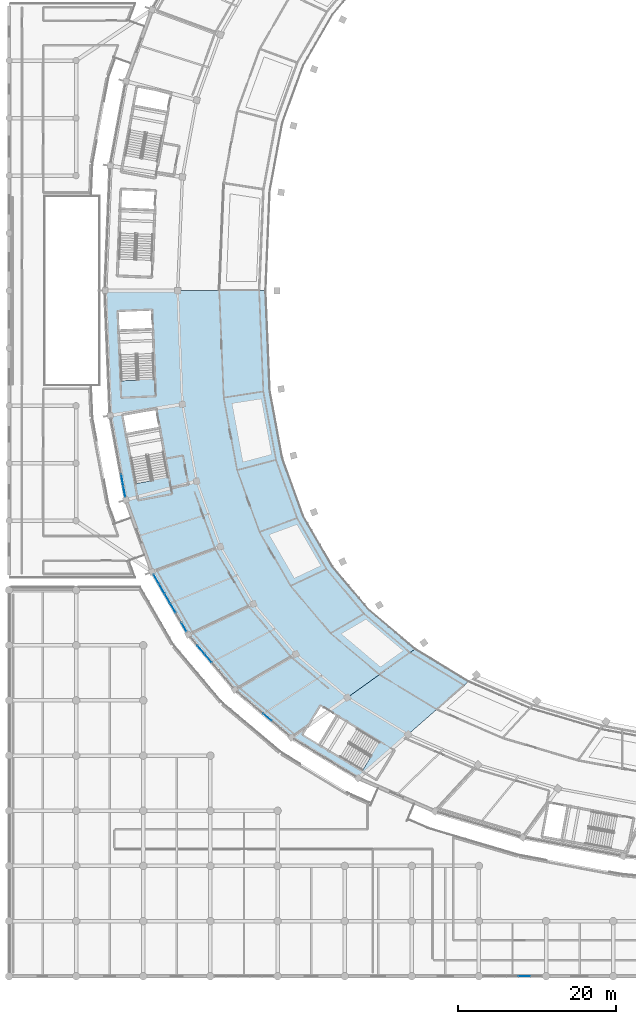
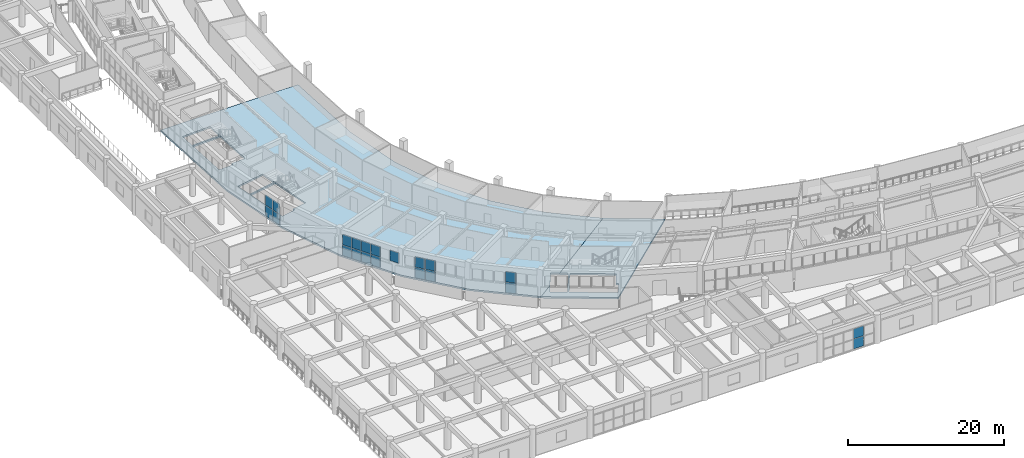
# One storey, part 72 of 141: 21 plates, 2 slabs, 5 elements without a shape of their own.
"""IFC4 building model written with IfcOpenShell, lengths in metres."""

from ifc_helpers import new_model, si_unit, direction, frame, origin, origin_2d, place, context, subcontext, project, spatial, polyline, rectangle, outline, extrude, material, layer, layer_set, type_object, element, aggregate, save


model = new_model("IFC4")

# Units and contexts
model_context = context("Model", 3, precision=1e-05, world=origin(), true_north=direction((0.0, 1.0)))
body_context = subcontext(model_context, "Body", "Model", "MODEL_VIEW")
ifc_project = project(units=[si_unit("LENGTHUNIT", "METRE"), si_unit("AREAUNIT", "SQUARE_METRE"), si_unit("VOLUMEUNIT", "CUBIC_METRE"), si_unit("PLANEANGLEUNIT", "RADIAN"), si_unit("MASSUNIT", "GRAM", prefix="KILO")], contexts=[model_context])

# Site, building, storey
site_placement = place(None, origin())
site = spatial("IfcSite", under=ifc_project, at=site_placement, CompositionType="ELEMENT")
building_placement = place(site_placement, origin())
building = spatial("IfcBuilding", under=site, at=building_placement, Name="Mphavela Belvedere Stadium", CompositionType="ELEMENT")
storey_placement = place(building_placement, frame((0.0, 0.0, 14.699951171875)))
storey = spatial("IfcBuildingStorey", under=building, at=storey_placement, Name="L03", CompositionType="ELEMENT", Elevation=14.699951171875)

# Curtain wall, plates
ifc_material_1 = material(Name="Anodised bronze unitised curtain wall framing")
ifc_layer_1 = layer(ifc_material_1, 0.195068359375)
ifc_layer_set_1 = layer_set([ifc_layer_1], Name="Anodised bronze unitised curtain wall framing")
curtain_wall_type_1 = type_object("IfcCurtainWallType", Name="CW-UNIT-04", PredefinedType="USERDEFINED", material=ifc_layer_set_1)
curtain_wall_1_placement = place(storey_placement, origin())
curtain_wall_1 = element("IfcCurtainWall", 1, at=curtain_wall_1_placement, inside=storey, type_object=curtain_wall_type_1, Name="Belvedere colonnade curtain wall L03-26", ObjectType="UNITISED CURTAIN WALL", PredefinedType="USERDEFINED")
ifc_material_2 = material(Name="Solar-control double glazing", Category="glass")
ifc_layer_2 = layer(ifc_material_2, 0.031982421875)
ifc_layer_set_2 = layer_set([ifc_layer_2], Name="Solar-control double glazing")
plate_type = type_object("IfcPlateType", Name="CWP-SOLAR-GLASS", PredefinedType="CURTAIN_PANEL", material=ifc_layer_set_2)
plate_1_placement = place(storey_placement, frame((14.369873046875, 62.943603515625, 0.06005859375), z_axis=(0.0, 0.0, 1.0), x_axis=(0.182631222254, -0.983181487142, 0.0)))
plate_1 = element("IfcPlate", 2, at=plate_1_placement, type_object=plate_type, Name="CW-04 panel 6.1", PredefinedType="CURTAIN_PANEL", context=body_context, shape_type="SweptSolid", body=[
    extrude(rectangle(XDim=1.3857421875, YDim=0.031982421875, at=origin_2d()), origin(), (0.0, 0.0, 1.0), 1.6201171875),
])
plate_2_placement = place(storey_placement, frame((14.369873046875, 62.943603515625, 1.739990234375), z_axis=(0.0, 0.0, 1.0), x_axis=(0.182631222254, -0.983181487142, 0.0)))
plate_2 = element("IfcPlate", 3, at=plate_2_placement, type_object=plate_type, Name="CW-04 panel 6.2", PredefinedType="CURTAIN_PANEL", context=body_context, shape_type="SweptSolid", body=[
    extrude(rectangle(XDim=1.3857421875, YDim=0.031982421875, at=origin_2d()), origin(), (0.0, 0.0, 1.0), 1.6201171875),
])
plate_3_placement = place(storey_placement, frame((14.6318359375, 61.533447265625, 0.06005859375), z_axis=(0.0, 0.0, 1.0), x_axis=(0.182631222254, -0.983181487142, 0.0)))
plate_3 = element("IfcPlate", 4, at=plate_3_placement, type_object=plate_type, Name="CW-04 panel 7.1", PredefinedType="CURTAIN_PANEL", context=body_context, shape_type="SweptSolid", body=[
    extrude(rectangle(XDim=1.353271484375, YDim=0.031982421875, at=origin_2d()), origin(), (0.0, 0.0, 1.0), 1.6201171875),
])
plate_4_placement = place(storey_placement, frame((14.6318359375, 61.533447265625, 1.739990234375), z_axis=(0.0, 0.0, 1.0), x_axis=(0.182631222254, -0.983181487142, 0.0)))
plate_4 = element("IfcPlate", 5, at=plate_4_placement, type_object=plate_type, Name="CW-04 panel 7.2", PredefinedType="CURTAIN_PANEL", context=body_context, shape_type="SweptSolid", body=[
    extrude(rectangle(XDim=1.353271484375, YDim=0.031982421875, at=origin_2d()), origin(), (0.0, 0.0, 1.0), 1.6201171875),
])
aggregate(curtain_wall_1, [plate_1, plate_2, plate_3, plate_4])

ifc_material_3 = material(Name="Anodised bronze unitised curtain wall framing")
ifc_layer_3 = layer(ifc_material_3, 0.199951171875)
ifc_layer_set_3 = layer_set([ifc_layer_3], Name="Anodised bronze unitised curtain wall framing")
curtain_wall_type_2 = type_object("IfcCurtainWallType", Name="CW-UNIT-05", PredefinedType="USERDEFINED", material=ifc_layer_set_3)
curtain_wall_2_placement = place(storey_placement, origin())
curtain_wall_2 = element("IfcCurtainWall", 6, at=curtain_wall_2_placement, inside=storey, type_object=curtain_wall_type_2, Name="Belvedere colonnade curtain wall L03-28", ObjectType="UNITISED CURTAIN WALL", PredefinedType="USERDEFINED")
plate_5_placement = place(storey_placement, frame((18.692138671875, 50.36962890625, 0.06005859375), z_axis=(0.0, 0.0, 1.0), x_axis=(0.50055409961, -0.865705257789, 0.0)))
plate_5 = element("IfcPlate", 7, at=plate_5_placement, type_object=plate_type, Name="CW-05 panel 1.1", PredefinedType="CURTAIN_PANEL", context=body_context, shape_type="SweptSolid", body=[
    extrude(rectangle(XDim=1.314453125, YDim=0.031982421875, at=origin_2d()), origin(), (0.0, 0.0, 1.0), 1.6201171875),
])
plate_6_placement = place(storey_placement, frame((18.692138671875, 50.36962890625, 1.739990234375), z_axis=(0.0, 0.0, 1.0), x_axis=(0.50055409961, -0.865705257789, 0.0)))
plate_6 = element("IfcPlate", 8, at=plate_6_placement, type_object=plate_type, Name="CW-05 panel 1.2", PredefinedType="CURTAIN_PANEL", context=body_context, shape_type="SweptSolid", body=[
    extrude(rectangle(XDim=1.314453125, YDim=0.031982421875, at=origin_2d()), origin(), (0.0, 0.0, 1.0), 1.6201171875),
])
plate_7_placement = place(storey_placement, frame((19.390625, 49.161376953125, 0.06005859375), z_axis=(0.0, 0.0, 1.0), x_axis=(0.50055409961, -0.865705257789, 0.0)))
plate_7 = element("IfcPlate", 9, at=plate_7_placement, type_object=plate_type, Name="CW-05 panel 2.1", PredefinedType="CURTAIN_PANEL", context=body_context, shape_type="SweptSolid", body=[
    extrude(rectangle(XDim=1.346923828125, YDim=0.031982421875, at=origin_2d()), origin(), (0.0, 0.0, 1.0), 1.6201171875),
])
plate_8_placement = place(storey_placement, frame((19.390625, 49.161376953125, 1.739990234375), z_axis=(0.0, 0.0, 1.0), x_axis=(0.50055409961, -0.865705257789, 0.0)))
plate_8 = element("IfcPlate", 10, at=plate_8_placement, type_object=plate_type, Name="CW-05 panel 2.2", PredefinedType="CURTAIN_PANEL", context=body_context, shape_type="SweptSolid", body=[
    extrude(rectangle(XDim=1.346923828125, YDim=0.031982421875, at=origin_2d()), origin(), (0.0, 0.0, 1.0), 1.6201171875),
])
plate_9_placement = place(storey_placement, frame((20.097412109375, 47.939208984375, 0.06005859375), z_axis=(0.0, 0.0, 1.0), x_axis=(0.50055409961, -0.865705257789, 0.0)))
plate_9 = element("IfcPlate", 11, at=plate_9_placement, type_object=plate_type, Name="CW-05 panel 3.1", PredefinedType="CURTAIN_PANEL", context=body_context, shape_type="SweptSolid", body=[
    extrude(rectangle(XDim=1.346923828125, YDim=0.031982421875, at=origin_2d()), origin(), (0.0, 0.0, 1.0), 1.6201171875),
])
plate_10_placement = place(storey_placement, frame((20.097412109375, 47.939208984375, 1.739990234375), z_axis=(0.0, 0.0, 1.0), x_axis=(0.50055409961, -0.865705257789, 0.0)))
plate_10 = element("IfcPlate", 12, at=plate_10_placement, type_object=plate_type, Name="CW-05 panel 3.2", PredefinedType="CURTAIN_PANEL", context=body_context, shape_type="SweptSolid", body=[
    extrude(rectangle(XDim=1.346923828125, YDim=0.031982421875, at=origin_2d()), origin(), (0.0, 0.0, 1.0), 1.6201171875),
])
plate_11_placement = place(storey_placement, frame((20.803955078125, 46.717041015625, 0.06005859375), z_axis=(0.0, 0.0, 1.0), x_axis=(0.50055409961, -0.865705257789, 0.0)))
plate_11 = element("IfcPlate", 13, at=plate_11_placement, type_object=plate_type, Name="CW-05 panel 4.1", PredefinedType="CURTAIN_PANEL", context=body_context, shape_type="SweptSolid", body=[
    extrude(rectangle(XDim=1.346923828125, YDim=0.031982421875, at=origin_2d()), origin(), (0.0, 0.0, 1.0), 1.6201171875),
])
plate_12_placement = place(storey_placement, frame((20.803955078125, 46.717041015625, 1.739990234375), z_axis=(0.0, 0.0, 1.0), x_axis=(0.50055409961, -0.865705257789, 0.0)))
plate_12 = element("IfcPlate", 14, at=plate_12_placement, type_object=plate_type, Name="CW-05 panel 4.2", PredefinedType="CURTAIN_PANEL", context=body_context, shape_type="SweptSolid", body=[
    extrude(rectangle(XDim=1.346923828125, YDim=0.031982421875, at=origin_2d()), origin(), (0.0, 0.0, 1.0), 1.6201171875),
])
plate_13_placement = place(storey_placement, frame((22.209228515625, 44.28662109375, 1.739990234375), z_axis=(0.0, 0.0, 1.0), x_axis=(0.50055409961, -0.865705257789, 0.0)))
plate_13 = element("IfcPlate", 15, at=plate_13_placement, type_object=plate_type, Name="CW-05 panel 6.2", PredefinedType="CURTAIN_PANEL", context=body_context, shape_type="SweptSolid", body=[
    extrude(rectangle(XDim=1.314453125, YDim=0.031982421875, at=origin_2d()), origin(), (0.0, 0.0, 1.0), 1.6201171875),
])
aggregate(curtain_wall_2, [plate_5, plate_6, plate_7, plate_8, plate_9, plate_10, plate_11, plate_12, plate_13])

ifc_material_4 = material(Name="Anodised bronze unitised curtain wall framing")
ifc_layer_4 = layer(ifc_material_4, 0.205078125)
ifc_layer_set_4 = layer_set([ifc_layer_4], Name="Anodised bronze unitised curtain wall framing")
curtain_wall_type_3 = type_object("IfcCurtainWallType", Name="CW-UNIT-06", PredefinedType="USERDEFINED", material=ifc_layer_set_4)
curtain_wall_3_placement = place(storey_placement, origin())
curtain_wall_3 = element("IfcCurtainWall", 16, at=curtain_wall_3_placement, inside=storey, type_object=curtain_wall_type_3, Name="Belvedere colonnade curtain wall L03-29", ObjectType="UNITISED CURTAIN WALL", PredefinedType="USERDEFINED")
plate_14_placement = place(storey_placement, frame((24.353759765625, 41.447998046875, 0.06005859375), z_axis=(0.0, 0.0, 1.0), x_axis=(0.645179274532, -0.76403121907, 0.0)))
plate_14 = element("IfcPlate", 17, at=plate_14_placement, type_object=plate_type, Name="CW-06 panel 2.1", PredefinedType="CURTAIN_PANEL", context=body_context, shape_type="SweptSolid", body=[
    extrude(rectangle(XDim=1.3359375, YDim=0.031982421875, at=origin_2d()), origin(), (0.0, 0.0, 1.0), 1.6201171875),
])
plate_15_placement = place(storey_placement, frame((24.353759765625, 41.447998046875, 1.739990234375), z_axis=(0.0, 0.0, 1.0), x_axis=(0.645179274532, -0.76403121907, 0.0)))
plate_15 = element("IfcPlate", 18, at=plate_15_placement, type_object=plate_type, Name="CW-06 panel 2.2", PredefinedType="CURTAIN_PANEL", context=body_context, shape_type="SweptSolid", body=[
    extrude(rectangle(XDim=1.3359375, YDim=0.031982421875, at=origin_2d()), origin(), (0.0, 0.0, 1.0), 1.6201171875),
])
plate_16_placement = place(storey_placement, frame((25.257568359375, 40.377685546875, 0.06005859375), z_axis=(0.0, 0.0, 1.0), x_axis=(0.645179274532, -0.76403121907, 0.0)))
plate_16 = element("IfcPlate", 19, at=plate_16_placement, type_object=plate_type, Name="CW-06 panel 3.1", PredefinedType="CURTAIN_PANEL", context=body_context, shape_type="SweptSolid", body=[
    extrude(rectangle(XDim=1.3359375, YDim=0.031982421875, at=origin_2d()), origin(), (0.0, 0.0, 1.0), 1.6201171875),
])
plate_17_placement = place(storey_placement, frame((25.257568359375, 40.377685546875, 1.739990234375), z_axis=(0.0, 0.0, 1.0), x_axis=(0.645179274532, -0.76403121907, 0.0)))
plate_17 = element("IfcPlate", 20, at=plate_17_placement, type_object=plate_type, Name="CW-06 panel 3.2", PredefinedType="CURTAIN_PANEL", context=body_context, shape_type="SweptSolid", body=[
    extrude(rectangle(XDim=1.3359375, YDim=0.031982421875, at=origin_2d()), origin(), (0.0, 0.0, 1.0), 1.6201171875),
])
aggregate(curtain_wall_3, [plate_14, plate_15, plate_16, plate_17])

ifc_material_5 = material(Name="Anodised bronze unitised curtain wall framing")
ifc_layer_5 = layer(ifc_material_5, 0.179931640625)
ifc_layer_set_5 = layer_set([ifc_layer_5], Name="Anodised bronze unitised curtain wall framing")
curtain_wall_type_4 = type_object("IfcCurtainWallType", Name="CW-UNIT-01", PredefinedType="USERDEFINED", material=ifc_layer_set_5)
curtain_wall_4_placement = place(storey_placement, origin())
curtain_wall_4 = element("IfcCurtainWall", 21, at=curtain_wall_4_placement, inside=storey, type_object=curtain_wall_type_4, Name="Belvedere colonnade curtain wall L03-30", ObjectType="UNITISED CURTAIN WALL", PredefinedType="USERDEFINED")
plate_18_placement = place(storey_placement, frame((32.80419921875, 32.85107421875, 0.06005859375), z_axis=(0.0, 0.0, 1.0), x_axis=(0.764262822183, -0.644904906656, 0.0)))
plate_18 = element("IfcPlate", 22, at=plate_18_placement, type_object=plate_type, Name="CW-01 panel 4.1", PredefinedType="CURTAIN_PANEL", context=body_context, shape_type="SweptSolid", body=[
    extrude(rectangle(XDim=1.376953125, YDim=0.031982421875, at=origin_2d()), origin(), (0.0, 0.0, 1.0), 1.6201171875),
])
plate_19_placement = place(storey_placement, frame((32.80419921875, 32.85107421875, 1.739990234375), z_axis=(0.0, 0.0, 1.0), x_axis=(0.764262822183, -0.644904906656, 0.0)))
plate_19 = element("IfcPlate", 23, at=plate_19_placement, type_object=plate_type, Name="CW-01 panel 4.2", PredefinedType="CURTAIN_PANEL", context=body_context, shape_type="SweptSolid", body=[
    extrude(rectangle(XDim=1.376953125, YDim=0.031982421875, at=origin_2d()), origin(), (0.0, 0.0, 1.0), 1.6201171875),
])
aggregate(curtain_wall_4, [plate_18, plate_19])

curtain_wall_5_placement = place(storey_placement, origin())
curtain_wall_5 = element("IfcCurtainWall", 24, at=curtain_wall_5_placement, inside=storey, type_object=curtain_wall_type_3, Name="South Axial Triumphal Peristyle Portico gallery curtain wall L03-08", ObjectType="UNITISED CURTAIN WALL", PredefinedType="USERDEFINED")
plate_20_placement = place(storey_placement, frame((65.4033203125, 0.0, 0.06005859375), z_axis=(0.0, 0.0, 1.0), x_axis=(-1.0, 0.0, 0.0)))
plate_20 = element("IfcPlate", 25, at=plate_20_placement, type_object=plate_type, Name="CW-06 panel 2.1", PredefinedType="CURTAIN_PANEL", context=body_context, shape_type="SweptSolid", body=[
    extrude(rectangle(XDim=1.449462890625, YDim=0.031982421875, at=origin_2d()), origin(), (0.0, 0.0, 1.0), 1.5400390625),
])
plate_21_placement = place(storey_placement, frame((65.4033203125, 0.0, 1.659912109375), z_axis=(0.0, 0.0, 1.0), x_axis=(-1.0, 0.0, 0.0)))
plate_21 = element("IfcPlate", 26, at=plate_21_placement, type_object=plate_type, Name="CW-06 panel 2.2", PredefinedType="CURTAIN_PANEL", context=body_context, shape_type="SweptSolid", body=[
    extrude(rectangle(XDim=1.449462890625, YDim=0.031982421875, at=origin_2d()), origin(), (0.0, 0.0, 1.0), 1.5400390625),
])
aggregate(curtain_wall_5, [plate_20, plate_21])

# Slabs
ifc_material_6 = material(Name="Concrete C40/50", Category="concrete")
ifc_layer_6 = layer(ifc_material_6, 0.25)
ifc_layer_set_6 = layer_set([ifc_layer_6], Name="Concrete C40/50")
slab_type = type_object("IfcSlabType", Name="SLB-CONCOURSE-250", PredefinedType="FLOOR", material=ifc_layer_set_6)
slab_1_placement = place(storey_placement, frame((0.0, 0.0, -0.25)))
element("IfcSlab", 27, at=slab_1_placement, inside=storey, type_object=slab_type, Name="Concourse sector slab L03-S5", PredefinedType="FLOOR", context=body_context, shape_type="SweptSolid", body=[
    extrude(outline(polyline([(18.143798828125, 51.317626953125), (14.83544921875, 60.4375), (12.844482421875, 71.155029296875), (12.179931640625, 87.0), (32.550048828125, 87.0), (33.0830078125, 74.294189453125), (34.67919921875, 65.699951171875), (37.33251953125, 58.38671875), (41.031982421875, 51.988525390625), (45.7666015625, 46.381591796875), (51.526123046875, 41.521484375), (40.532958984375, 33.644775390625), (39.5341796875, 34.252197265625), (38.10791015625, 31.9072265625), (35.844482421875, 30.285400390625), (28.66162109375, 36.346435546875), (22.757568359375, 43.33837890625), (18.143798828125, 51.317626953125)]), holes=[polyline([(16.327880859375, 75.97509765625), (18.421142578125, 76.062744140625), (18.17138671875, 82.017578125), (13.985107421875, 81.842041015625), (14.248779296875, 75.551513671875), (16.342041015625, 75.639404296875), (16.327880859375, 75.97509765625)]), polyline([(18.067626953125, 84.495361328125), (13.88134765625, 84.31982421875), (13.97607421875, 82.061767578125), (18.162353515625, 82.2373046875), (18.067626953125, 84.495361328125)]), polyline([(16.08642578125, 62.51025390625), (18.146240234375, 62.892578125), (18.0849609375, 63.222900390625), (20.144775390625, 63.60546875), (19.056396484375, 69.46533203125), (14.93701171875, 68.7001953125), (16.08642578125, 62.51025390625)]), polyline([(14.896728515625, 68.91650390625), (19.016357421875, 69.681640625), (18.603759765625, 71.903564453125), (14.484130859375, 71.138671875), (14.896728515625, 68.91650390625)])]), origin(), (0.0, 0.0, 1.0), 0.25),
])
slab_2_placement = place(storey_placement, frame((0.0, 0.0, -0.25)))
element("IfcSlab", 28, at=slab_2_placement, inside=storey, type_object=slab_type, Name="Concourse sector slab L03-S6:1", PredefinedType="FLOOR", context=body_context, shape_type="SweptSolid", body=[
    extrude(outline(polyline([(37.356689453125, 30.67236328125), (39.28759765625, 29.498046875), (41.465087890625, 33.077880859375), (40.532958984375, 33.644775390625), (51.526123046875, 41.521484375), (58.3095703125, 37.39453125), (44.3037109375, 25.13916015625), (35.844482421875, 30.285400390625), (38.10791015625, 31.9072265625), (37.356689453125, 30.67236328125)]), holes=[polyline([(45.943359375, 27.901611328125), (45.65625, 28.076416015625), (46.7451171875, 29.8662109375), (41.653076171875, 32.96337890625), (39.4755859375, 29.383544921875), (44.8544921875, 26.11181640625), (45.943359375, 27.901611328125)])]), origin(), (0.0, 0.0, 1.0), 0.25),
])

save(model, "model.ifc")
